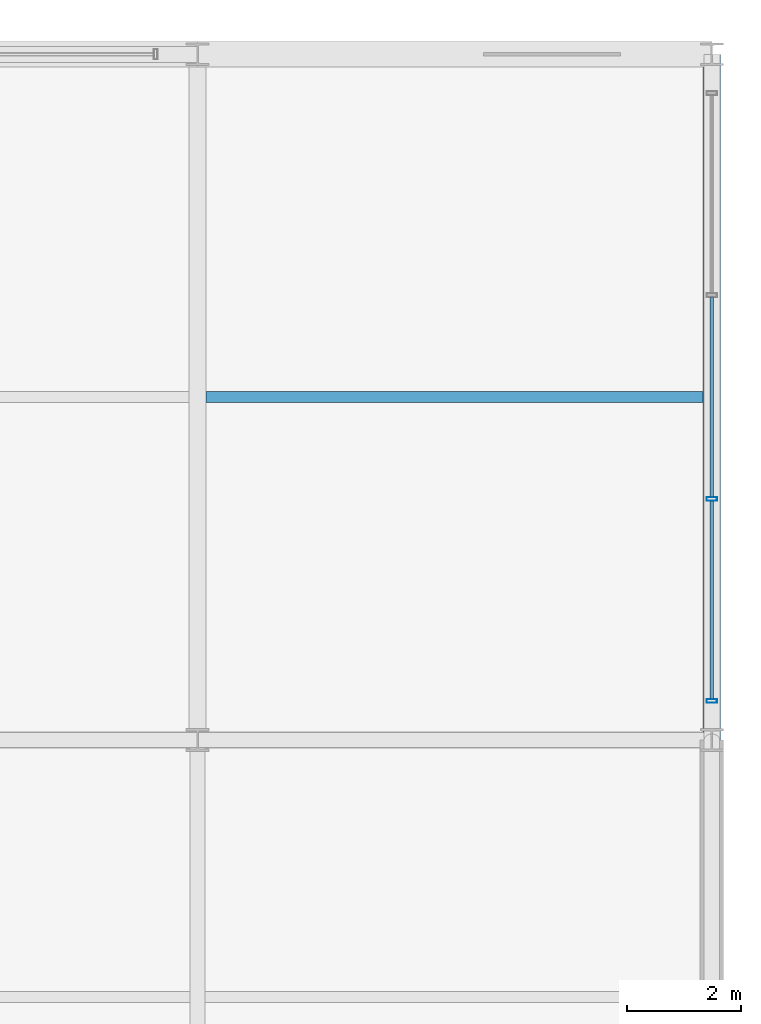
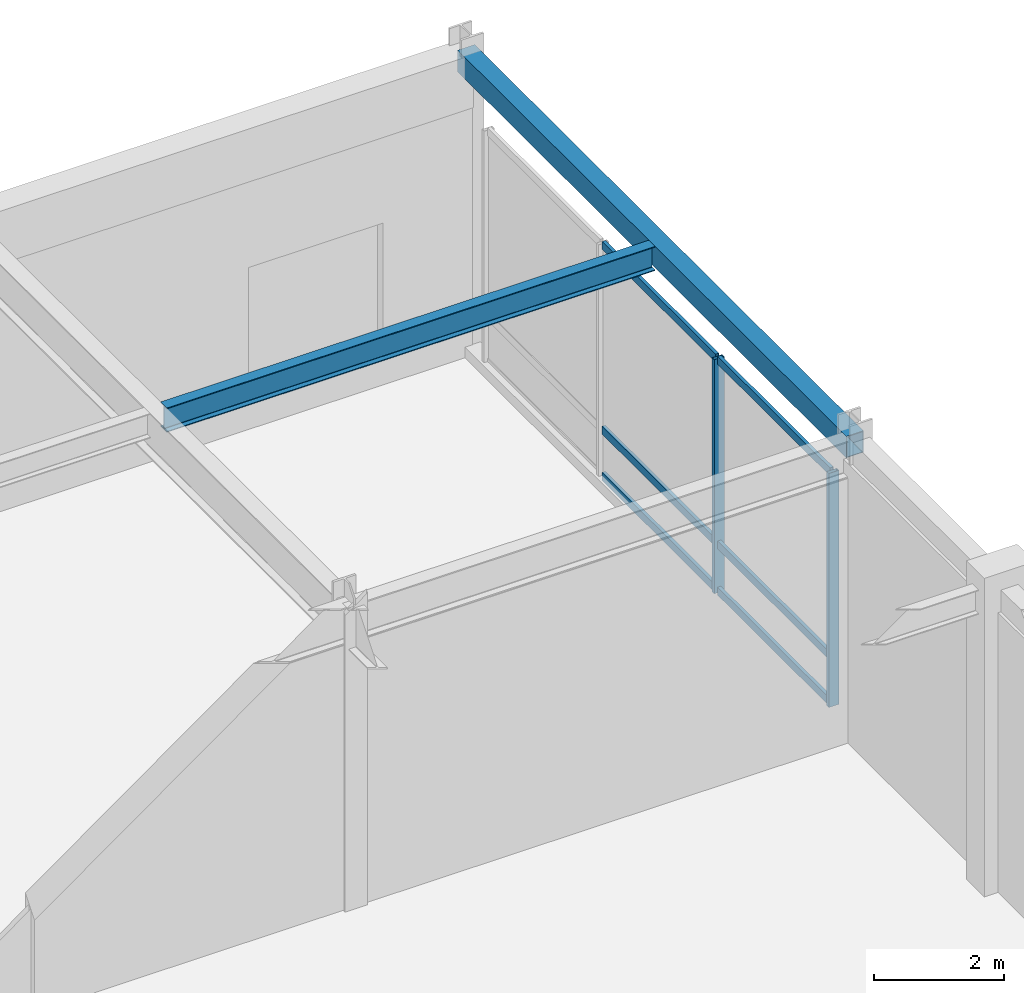
# One storey, part 68 of 105: 8 members, 2 beams, 1 element without a shape of its own.
"""IFC4 building model written with IfcOpenShell, lengths in metres."""

from ifc_helpers import new_model, si_unit, direction, frame, origin, origin_2d, place, context, subcontext, project, spatial, hollow_rectangle, i_section, extrude, material, material_profile, profile_set, type_object, element, aggregate, save


model = new_model("IFC4")

# Units and contexts
model_context = context("Model", 3, precision=1e-05, world=origin(), true_north=direction((0.0, 1.0)))
body_context = subcontext(model_context, "Body", "Model", "MODEL_VIEW")
ifc_project = project(units=[si_unit("LENGTHUNIT", "METRE"), si_unit("AREAUNIT", "SQUARE_METRE"), si_unit("VOLUMEUNIT", "CUBIC_METRE"), si_unit("PLANEANGLEUNIT", "RADIAN"), si_unit("MASSUNIT", "GRAM", prefix="KILO")], contexts=[model_context])

# Site, building, storey
site_placement = place(None, origin())
site = spatial("IfcSite", under=ifc_project, at=site_placement, CompositionType="ELEMENT")
building_placement = place(site_placement, origin())
building = spatial("IfcBuilding", under=site, at=building_placement, Name="Kaldorvane Square Convention Centre", CompositionType="ELEMENT")
storey_placement = place(building_placement, frame((0.0, 0.0, 6.0)))
storey = spatial("IfcBuildingStorey", under=building, at=storey_placement, Name="L01", CompositionType="ELEMENT", Elevation=6.0)

# Beams
ifc_material_1 = material(Name="Steel ASTM A992 Gr. 50", Category="steel")
ifc_material_profile_1 = material_profile(ifc_material_1, i_section(OverallWidth=0.1912994384765625, OverallDepth=0.4600067138671875, WebThickness=0.0099029541015625, FlangeThickness=0.0160064697265625, FilletRadius=0.01019287109375, at=origin_2d()), Name="W18X55")
ifc_profile_set_1 = profile_set([ifc_material_profile_1], Name="Steel ASTM A992 Gr. 50")
beam_type_1 = type_object("IfcBeamType", Name="BM-JS-W18X55", PredefinedType="JOIST", material=ifc_profile_set_1)
beam_1_placement = place(storey_placement, frame((165.14649963378906, 111.0, 5.4459991455078125), z_axis=(1.0, 0.0, 0.0), x_axis=(0.0, 1.0, 0.0)))
element("IfcBeam", 1, at=beam_1_placement, inside=storey, type_object=beam_type_1, Name="Secondary Floor Joist (L01)", PredefinedType="JOIST", context=body_context, shape_type="SweptSolid", body=[
    extrude(i_section(OverallWidth=0.1912994384765625, OverallDepth=0.4600067138671875, WebThickness=0.0099029541015625, FlangeThickness=0.0160064697265625, FilletRadius=0.01019287109375, at=origin_2d()), origin(), (0.0, 0.0, 1.0), 8.701095581054688),
])
ifc_material_2 = material(Name="Steel ASTM A500 Gr. C", Category="steel")
ifc_material_profile_2 = material_profile(ifc_material_2, hollow_rectangle(XDim=0.3047943115234375, YDim=0.406402587890625, WallThickness=0.0117950439453125, at=origin_2d()), Name="HSS16X12X1/2")
ifc_profile_set_2 = profile_set([ifc_material_profile_2], Name="Steel ASTM A500 Gr. C")
beam_type_2 = type_object("IfcBeamType", Name="BM-SP-HSS16", PredefinedType="SPANDREL", material=ifc_profile_set_2)
beam_2_placement = place(storey_placement, frame((174.0, 105.0, 5.4727935791015625), z_axis=(0.0, 1.0, 0.0), x_axis=(-1.0, 0.0, 0.0)))
element("IfcBeam", 2, at=beam_2_placement, inside=storey, type_object=beam_type_2, Name="End Spandrel (L01)", PredefinedType="SPANDREL", context=body_context, shape_type="SweptSolid", body=[
    extrude(hollow_rectangle(XDim=0.3047943115234375, YDim=0.406402587890625, WallThickness=0.0117950439453125, at=origin_2d()), origin(), (0.0, 0.0, 1.0), 12.0),
])

# Curtain wall, members
ifc_material_3 = material(Name="Anodized Aluminum and Low-E Insulated Glazing", Category="aluminium")
curtain_wall_type = type_object("IfcCurtainWallType", Name="CW-UNI-P60-09", PredefinedType="USERDEFINED", material=ifc_material_3)
curtain_wall_placement = place(storey_placement, origin())
curtain_wall = element("IfcCurtainWall", 3, at=curtain_wall_placement, inside=storey, type_object=curtain_wall_type, Name="Curtain Wall CW-02 (L01)", ObjectType="UNITISED GLAZING", PredefinedType="USERDEFINED")
ifc_material_profile_3 = material_profile(ifc_material_3, hollow_rectangle(XDim=0.06500244140625, YDim=0.17999267578125, WallThickness=0.0034942626953125, at=origin_2d()), Name="CWM-180X65")
ifc_profile_set_3 = profile_set([ifc_material_profile_3], Name="Anodized Aluminum and Low-E Insulated Glazing")
member_type_1 = type_object("IfcMemberType", Name="CW-MUL-180", PredefinedType="MULLION", material=ifc_profile_set_3)
member_1_placement = place(storey_placement, frame((174.0, 105.6824951171875, 0.149993896484375), z_axis=(0.0, 0.0, 1.0), x_axis=(0.0, 1.0, 0.0)))
member_1 = element("IfcMember", 4, at=member_1_placement, type_object=member_type_1, Name="CW-02 mullion 1", PredefinedType="MULLION", context=body_context, shape_type="SweptSolid", body=[
    extrude(hollow_rectangle(XDim=0.06500244140625, YDim=0.17999267578125, WallThickness=0.0034942626953125, at=origin_2d()), origin(), (0.0, 0.0, 1.0), 4.410003662109375),
])
member_2_placement = place(storey_placement, frame((174.0, 109.21665954589844, 0.149993896484375), z_axis=(0.0, 0.0, 1.0), x_axis=(0.0, 1.0, 0.0)))
member_2 = element("IfcMember", 5, at=member_2_placement, type_object=member_type_1, Name="CW-02 mullion 2", PredefinedType="MULLION", context=body_context, shape_type="SweptSolid", body=[
    extrude(hollow_rectangle(XDim=0.06500244140625, YDim=0.17999267578125, WallThickness=0.0034942626953125, at=origin_2d()), origin(), (0.0, 0.0, 1.0), 4.410003662109375),
])
ifc_material_profile_4 = material_profile(ifc_material_3, hollow_rectangle(XDim=0.05999755859375, YDim=0.149993896484375, WallThickness=0.003204345703125, at=origin_2d()), Name="CWT-150X60")
ifc_profile_set_4 = profile_set([ifc_material_profile_4], Name="Anodized Aluminum and Low-E Insulated Glazing")
member_type_2 = type_object("IfcMemberType", Name="CW-TRN-150", PredefinedType="USERDEFINED", material=ifc_profile_set_4)
member_3_placement = place(storey_placement, frame((174.0, 105.71499633789062, 0.17999267578125), z_axis=(0.0, 1.0, 0.0), x_axis=(-1.0, 0.0, 0.0)))
member_3 = element("IfcMember", 6, at=member_3_placement, type_object=member_type_2, Name="CW-02 transom 1.1", ObjectType="TRANSOM", PredefinedType="USERDEFINED", context=body_context, shape_type="SweptSolid", body=[
    extrude(hollow_rectangle(XDim=0.05999755859375, YDim=0.149993896484375, WallThickness=0.003204345703125, at=origin_2d()), origin(), (0.0, 0.0, 1.0), 3.46917724609375),
])
member_4_placement = place(storey_placement, frame((174.0, 105.71499633789062, 1.0500030517578125), z_axis=(0.0, 1.0, 0.0), x_axis=(-1.0, 0.0, 0.0)))
member_4 = element("IfcMember", 7, at=member_4_placement, type_object=member_type_2, Name="CW-02 transom 1.2", ObjectType="TRANSOM", PredefinedType="USERDEFINED", context=body_context, shape_type="SweptSolid", body=[
    extrude(hollow_rectangle(XDim=0.05999755859375, YDim=0.149993896484375, WallThickness=0.003204345703125, at=origin_2d()), origin(), (0.0, 0.0, 1.0), 3.46917724609375),
])
member_5_placement = place(storey_placement, frame((174.0, 105.71499633789062, 4.529998779296875), z_axis=(0.0, 1.0, 0.0), x_axis=(-1.0, 0.0, 0.0)))
member_5 = element("IfcMember", 8, at=member_5_placement, type_object=member_type_2, Name="CW-02 transom 1.3", ObjectType="TRANSOM", PredefinedType="USERDEFINED", context=body_context, shape_type="SweptSolid", body=[
    extrude(hollow_rectangle(XDim=0.05999755859375, YDim=0.149993896484375, WallThickness=0.003204345703125, at=origin_2d()), origin(), (0.0, 0.0, 1.0), 3.46917724609375),
])
member_6_placement = place(storey_placement, frame((174.0, 109.24916076660156, 0.17999267578125), z_axis=(0.0, 1.0, 0.0), x_axis=(-1.0, 0.0, 0.0)))
member_6 = element("IfcMember", 9, at=member_6_placement, type_object=member_type_2, Name="CW-02 transom 2.1", ObjectType="TRANSOM", PredefinedType="USERDEFINED", context=body_context, shape_type="SweptSolid", body=[
    extrude(hollow_rectangle(XDim=0.05999755859375, YDim=0.149993896484375, WallThickness=0.003204345703125, at=origin_2d()), origin(), (0.0, 0.0, 1.0), 3.501678466796875),
])
member_7_placement = place(storey_placement, frame((174.0, 109.24916076660156, 1.0500030517578125), z_axis=(0.0, 1.0, 0.0), x_axis=(-1.0, 0.0, 0.0)))
member_7 = element("IfcMember", 10, at=member_7_placement, type_object=member_type_2, Name="CW-02 transom 2.2", ObjectType="TRANSOM", PredefinedType="USERDEFINED", context=body_context, shape_type="SweptSolid", body=[
    extrude(hollow_rectangle(XDim=0.05999755859375, YDim=0.149993896484375, WallThickness=0.003204345703125, at=origin_2d()), origin(), (0.0, 0.0, 1.0), 3.501678466796875),
])
member_8_placement = place(storey_placement, frame((174.0, 109.24916076660156, 4.529998779296875), z_axis=(0.0, 1.0, 0.0), x_axis=(-1.0, 0.0, 0.0)))
member_8 = element("IfcMember", 11, at=member_8_placement, type_object=member_type_2, Name="CW-02 transom 2.3", ObjectType="TRANSOM", PredefinedType="USERDEFINED", context=body_context, shape_type="SweptSolid", body=[
    extrude(hollow_rectangle(XDim=0.05999755859375, YDim=0.149993896484375, WallThickness=0.003204345703125, at=origin_2d()), origin(), (0.0, 0.0, 1.0), 3.501678466796875),
])
aggregate(curtain_wall, [member_1, member_2, member_3, member_4, member_5, member_6, member_7, member_8])

save(model, "model.ifc")
